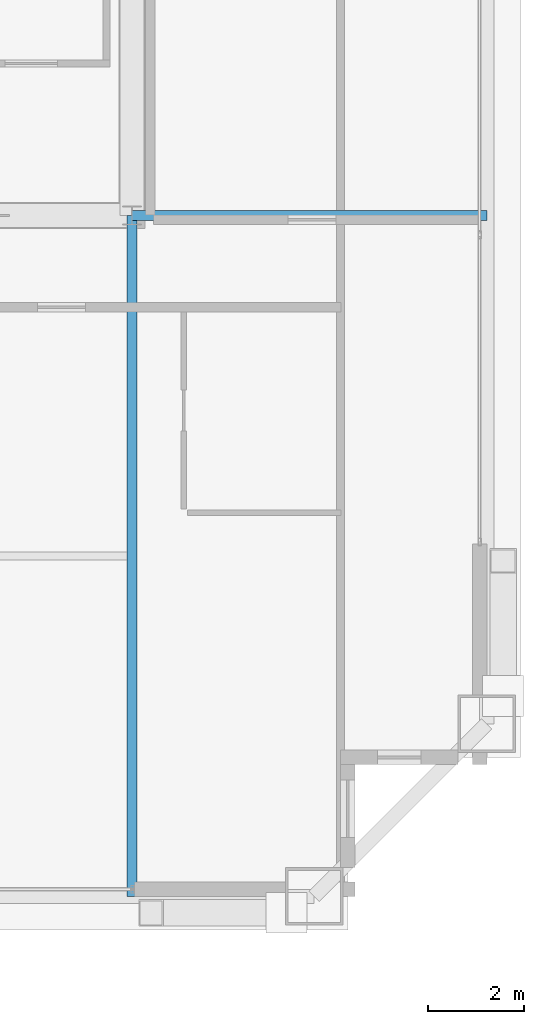
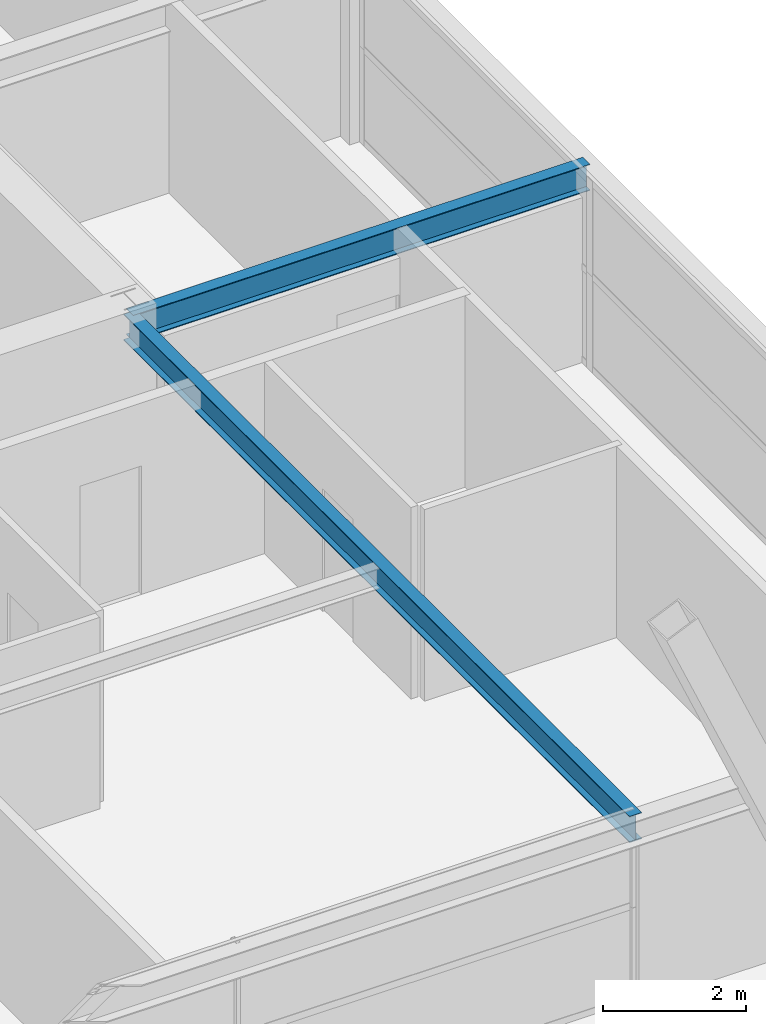
# One storey, part 13 of 33: 2 beams.
"""IFC4 building model written with IfcOpenShell, lengths in metres."""

from ifc_helpers import new_model, si_unit, direction, frame, origin, origin_2d, place, context, subcontext, project, spatial, i_section, extrude, source, transform, mapped, material, material_profile, profile_set, type_object, element, save


model = new_model("IFC4")

# Units and contexts
model_context = context("Model", 3, precision=1e-05, world=origin(), true_north=direction((0.0, 1.0)))
body_context = subcontext(model_context, "Body", "Model", "MODEL_VIEW")
ifc_project = project(units=[si_unit("LENGTHUNIT", "METRE"), si_unit("AREAUNIT", "SQUARE_METRE"), si_unit("VOLUMEUNIT", "CUBIC_METRE"), si_unit("PLANEANGLEUNIT", "RADIAN"), si_unit("MASSUNIT", "GRAM", prefix="KILO"), si_unit("THERMODYNAMICTEMPERATUREUNIT", "KELVIN"), si_unit("POWERUNIT", "WATT")], contexts=[model_context])

# Site, building, storey
site_placement = place(None, origin())
site = spatial("IfcSite", under=ifc_project, at=site_placement, CompositionType="ELEMENT")
building_placement = place(site_placement, origin())
building = spatial("IfcBuilding", under=site, at=building_placement, Name="Yuzanri Waterfront Tower", CompositionType="ELEMENT")
storey_placement = place(building_placement, frame((0.0, 0.0, 234.60009765625)))
storey = spatial("IfcBuildingStorey", under=building, at=storey_placement, Name="L62", CompositionType="ELEMENT", Elevation=234.60009765625)

# Beams
ifc_material = material(Name="Steel Q355B", Category="steel")
ifc_material_profile = material_profile(ifc_material, i_section(OverallWidth=0.199951171875, OverallDepth=0.449951171875, WebThickness=0.009033203125, FlangeThickness=0.013916015625, at=origin_2d()), Name="HN 450x200x9x14")
ifc_profile_set = profile_set([ifc_material_profile], Name="Steel Q355B")
beam_type = type_object("IfcBeamType", Name="Secondary Floor Beam Q355B HN 450x200", PredefinedType="BEAM", material=ifc_profile_set)
shared_shape_1 = source(origin(), body_context, "Body", "SweptSolid", [
    extrude(i_section(OverallWidth=0.199951171875, OverallDepth=0.449951171875, WebThickness=0.009033203125, FlangeThickness=0.013916015625, at=origin_2d()), origin(), (0.0, 0.0, 1.0), 14.199951171875),
])
beam_1_placement = place(storey_placement, frame((50.199951171875, 19.39990234375, 3.054931640625), z_axis=(0.0, -1.0, 0.0), x_axis=(1.0, 0.0, 0.0)))
element("IfcBeam", 1, at=beam_1_placement, inside=storey, type_object=beam_type, Name="L62 South-East Core Line Beam", PredefinedType="BEAM", context=body_context, shape_type="MappedRepresentation", body=[
    mapped(shared_shape_1, transform((0.0, 0.0, 0.0), scale=1.0)),
])
shared_shape_2 = source(origin(), body_context, "Body", "SweptSolid", [
    extrude(i_section(OverallWidth=0.199951171875, OverallDepth=0.449951171875, WebThickness=0.009033203125, FlangeThickness=0.013916015625, at=origin_2d()), origin(), (0.0, 0.0, 1.0), 7.400146484375),
])
beam_2_placement = place(storey_placement, frame((50.199951171875, 19.39990234375, 3.054931640625), z_axis=(1.0, 0.0, 0.0), x_axis=(0.0, 1.0, 0.0)))
element("IfcBeam", 2, at=beam_2_placement, inside=storey, type_object=beam_type, Name="L62 East-South Core Line Beam", PredefinedType="BEAM", context=body_context, shape_type="MappedRepresentation", body=[
    mapped(shared_shape_2, transform((0.0, 0.0, 0.0), scale=1.0)),
])

save(model, "model.ifc")
